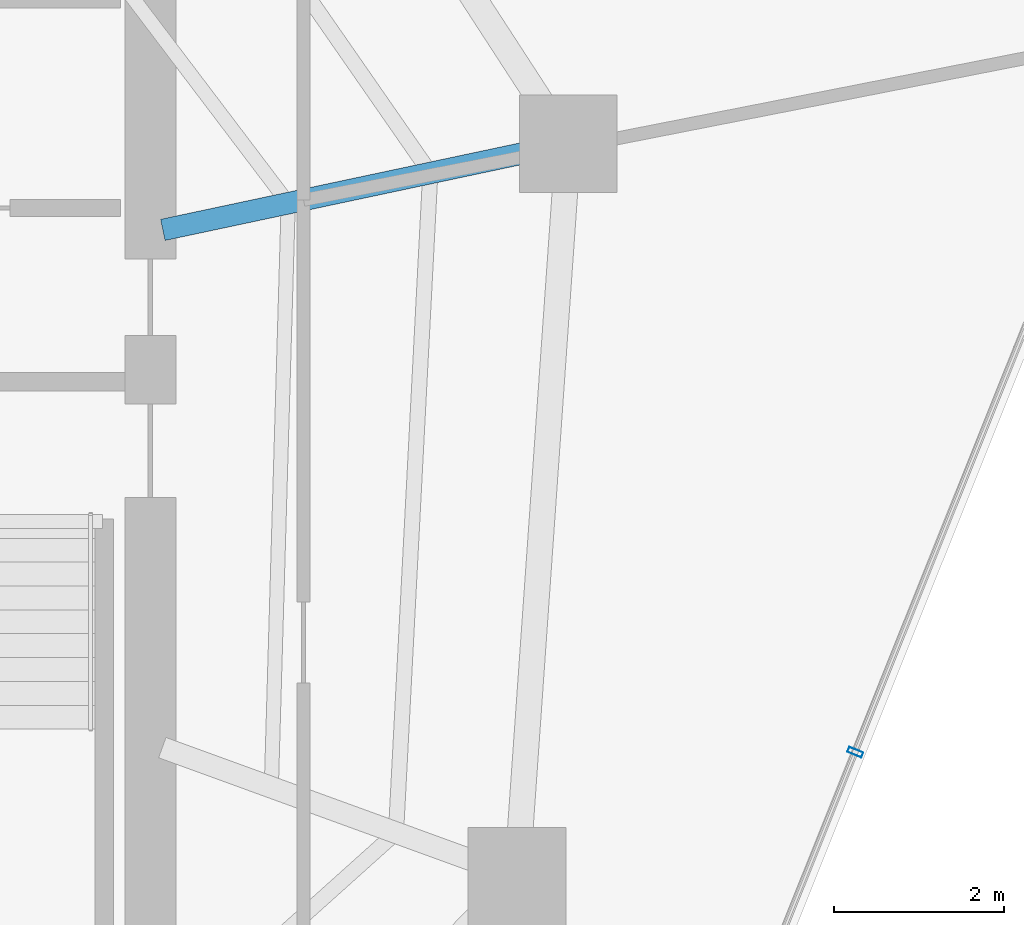
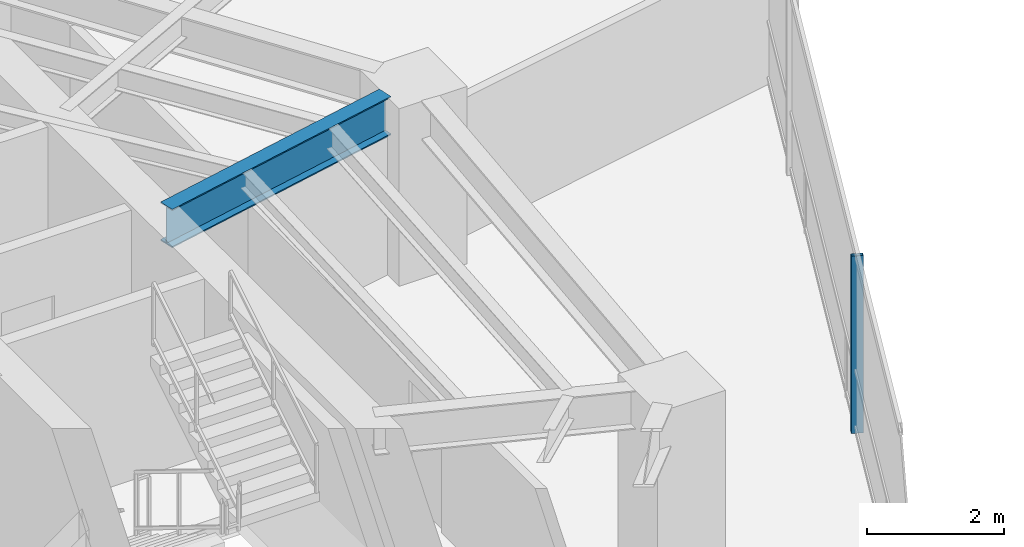
# One storey, part 13 of 29: 1 beam, 1 member, 1 element without a shape of its own.
"""IFC4 building model written with IfcOpenShell, lengths in metres."""

import ifcopenshell
import ifcopenshell.guid

model = None  # the IFC model being written
_history = None  # IfcOwnerHistory: only IFC2X3 demands one
_inside = {}  # id of a spatial element -> (the spatial element, [elements in it])
_under = {}  # id of a project, library or spatial element -> (it, [spatial elements below it])
_declared = {}  # id of a project -> (the project, [libraries it declares])
_typed = {}  # id of a type object -> (the type object, [elements of that type])
_made_of = {}  # id of a material, layer set ... -> (it, [elements and type objects made of it])


def new_model(schema):
    """Start an empty IFC model of exactly this schema.

    Asked for "IFC4X3", IfcOpenShell would pick the latest addendum, in which some entities
    have other attributes; the version numbers below select the first issue.
    IFC2X3 requires an IfcOwnerHistory on every rooted entity: one is made here for all.
    """
    global model, _history
    if schema == "IFC4X3":
        model = ifcopenshell.file(schema_version=(4, 3, 0, 0))
    else:
        model = ifcopenshell.file(schema=schema)
    _inside.clear()
    _under.clear()
    _declared.clear()
    _typed.clear()
    _made_of.clear()
    _history = None
    if model.schema == "IFC2X3":
        org = make("IfcOrganization", Name="unknown")
        user = make(
            "IfcPersonAndOrganization",
            ThePerson=make("IfcPerson", FamilyName="unknown"),
            TheOrganization=org,
        )
        app = make(
            "IfcApplication",
            ApplicationDeveloper=org,
            Version="unknown",
            ApplicationFullName="unknown",
            ApplicationIdentifier="unknown",
        )
        _history = make(
            "IfcOwnerHistory",
            OwningUser=user,
            OwningApplication=app,
            ChangeAction="ADDED",
            CreationDate=0,
        )
    return model


def make(cls, **values):
    """One entity of the class cls with the attributes given. An attribute that is None is left unset."""
    return model.create_entity(
        cls, **{name: value for name, value in values.items() if value is not None}
    )


def rooted(cls, **values):
    """An entity with a GlobalId (a new one), such as an element, a storey or a relation."""
    return make(cls, GlobalId=ifcopenshell.guid.new(), OwnerHistory=_history, **values)


def si_unit(unit_type, name, prefix=None):
    """IfcSIUnit, for example si_unit("LENGTHUNIT", "METRE", prefix="MILLI")."""
    return make("IfcSIUnit", UnitType=unit_type, Prefix=prefix, Name=name)


def assignment(units):
    """IfcUnitAssignment: the units of a project."""
    return None if units is None else make("IfcUnitAssignment", Units=units)


def point(xyz):
    """IfcCartesianPoint."""
    return None if xyz is None else make("IfcCartesianPoint", Coordinates=xyz)


def direction(xyz):
    """IfcDirection."""
    return None if xyz is None else make("IfcDirection", DirectionRatios=xyz)


def frame(location, z_axis=None, x_axis=None):
    """IfcAxis2Placement3D, a coordinate frame: its origin and axes. An axis left out is left unset."""
    return make(
        "IfcAxis2Placement3D",
        Location=point(location),
        Axis=direction(z_axis),
        RefDirection=direction(x_axis),
    )


def frame_2d(location, x_axis=None):
    """IfcAxis2Placement2D, a coordinate frame in the plane: its origin and x axis."""
    return make(
        "IfcAxis2Placement2D", Location=point(location), RefDirection=direction(x_axis)
    )


def origin():
    """The frame at (0, 0, 0) with its axes left unset."""
    return frame((0.0, 0.0, 0.0))


def origin_2d():
    """The frame at (0, 0) in the plane with its x axis left unset."""
    return frame_2d((0.0, 0.0))


def place(relative_to, where):
    """IfcLocalPlacement: puts the frame where relative to a parent placement (None: the world)."""
    return make(
        "IfcLocalPlacement", PlacementRelTo=relative_to, RelativePlacement=where
    )


def context(
    kind, dimensions, precision=None, world=None, true_north=None, identifier=None
):
    """IfcGeometricRepresentationContext, for example the 3D "Model" context."""
    return make(
        "IfcGeometricRepresentationContext",
        ContextIdentifier=identifier,
        ContextType=kind,
        CoordinateSpaceDimension=dimensions,
        Precision=precision,
        WorldCoordinateSystem=world,
        TrueNorth=true_north,
    )


def subcontext(parent, identifier, kind, view, scale=None):
    """IfcGeometricRepresentationSubContext, for example "Body" below "Model"."""
    return make(
        "IfcGeometricRepresentationSubContext",
        ContextIdentifier=identifier,
        ContextType=kind,
        ParentContext=parent,
        TargetScale=scale,
        TargetView=view,
    )


def project(units=None, contexts=None):
    """IfcProject with its units and contexts."""
    return rooted(
        "IfcProject",
        Name="project",
        RepresentationContexts=contexts,
        UnitsInContext=assignment(units),
    )


def spatial(cls, under=None, at=None, **own):
    """A site, building, storey or space (cls), placed at a placement, below another one or the project."""
    s = rooted(cls, ObjectPlacement=at, **own)
    if under is not None:
        _under.setdefault(under.id(), (under, []))[1].append(s)
    return s


def profile(cls, at=None, kind="AREA", **sizes):
    """A parametric profile (cls). Its sizes go by their IFC names, for example OverallWidth=200.0."""
    return make(cls, ProfileType=kind, Position=at, **sizes)


def hollow_rectangle(**sizes):
    """IfcRectangleHollowProfileDef."""
    return profile("IfcRectangleHollowProfileDef", **sizes)


def i_section(**sizes):
    """IfcIShapeProfileDef."""
    return profile("IfcIShapeProfileDef", **sizes)


def extrude(swept, where, along, depth):
    """IfcExtrudedAreaSolid: the profile swept, set in the frame where, extruded along a direction by depth."""
    return make(
        "IfcExtrudedAreaSolid",
        SweptArea=swept,
        Position=where,
        ExtrudedDirection=direction(along),
        Depth=depth,
    )


def shape(context_of_items, identifier, shape_type, items):
    """IfcShapeRepresentation: the items that make up one representation, for example the "Body"."""
    return make(
        "IfcShapeRepresentation",
        ContextOfItems=context_of_items,
        RepresentationIdentifier=identifier,
        RepresentationType=shape_type,
        Items=items,
    )


def material(Name=None, Category=None):
    """IfcMaterial."""
    return make("IfcMaterial", Name=Name, Category=Category)


def layer(
    of_material, thickness, ventilated=None, Name=None, Category=None, Priority=None
):
    """IfcMaterialLayer: one layer of a wall or slab, of a material (None: an air gap)."""
    return make(
        "IfcMaterialLayer",
        Material=of_material,
        LayerThickness=thickness,
        IsVentilated=ventilated,
        Name=Name,
        Category=Category,
        Priority=Priority,
    )


def layer_set(layers, Name=None):
    """IfcMaterialLayerSet."""
    return make("IfcMaterialLayerSet", MaterialLayers=layers, LayerSetName=Name)


def material_profile(
    of_material, cross_section, Name=None, Category=None, Priority=None
):
    """IfcMaterialProfile: a cross section and its material."""
    return make(
        "IfcMaterialProfile",
        Name=Name,
        Material=of_material,
        Profile=cross_section,
        Priority=Priority,
        Category=Category,
    )


def profile_set(profiles, Name=None, composite=None):
    """IfcMaterialProfileSet."""
    return make(
        "IfcMaterialProfileSet",
        Name=Name,
        MaterialProfiles=profiles,
        CompositeProfile=composite,
    )


def made_of(thing, what):
    """Note that an element or type object is made of a material, layer set ...; save() writes the relation."""
    if what is not None:
        _made_of.setdefault(what.id(), (what, []))[1].append(thing)
    return thing


def type_object(cls, material=None, **own):
    """A type object (cls), such as IfcWallType, which elements share."""
    return made_of(rooted(cls, **own), material)


def element(
    cls,
    number,
    at=None,
    inside=None,
    cuts=None,
    type_object=None,
    material=None,
    context=None,
    identifier="Body",
    shape_type=None,
    held_by="IfcProductDefinitionShape",
    body=None,
    shapes=None,
    **own,
):
    """One element of the class cls, such as IfcWall. Its Tag is "e" and its number.

    at: its placement. inside: the storey or other place that contains it. cuts: it is an
    opening in that element (IfcRelVoidsElement). A single representation is given by context,
    identifier, shape_type and body (its items); several are given by shapes. held_by: the class
    of the entity that holds the representations. save() writes the other relations.
    """
    e = rooted(cls, Tag="e%d" % number, ObjectPlacement=at, **own)
    if body is not None:
        shapes = [shape(context, identifier, shape_type, body)]
    if shapes is not None:
        e.Representation = make(held_by, Representations=shapes)
    if inside is not None:
        _inside.setdefault(inside.id(), (inside, []))[1].append(e)
    if cuts is not None:
        rooted(
            "IfcRelVoidsElement", RelatingBuildingElement=cuts, RelatedOpeningElement=e
        )
    if type_object is not None:
        _typed.setdefault(type_object.id(), (type_object, []))[1].append(e)
    return made_of(e, material)


def aggregate(whole, parts):
    """IfcRelAggregates: a whole, such as a stair, and the parts it consists of."""
    return rooted("IfcRelAggregates", RelatingObject=whole, RelatedObjects=parts)


def save(model, path):
    """Write the relations noted so far, then the file.

    IfcRelAggregates (storeys below a building ...), IfcRelContainedInSpatialStructure (elements
    in a storey), IfcRelDefinesByType, IfcRelAssociatesMaterial and IfcRelDeclares: one each for
    every whole, place, type object, material and project.
    """
    for whole, parts in _under.values():
        aggregate(whole, parts)
    for where, things in _inside.values():
        rooted(
            "IfcRelContainedInSpatialStructure",
            RelatedElements=things,
            RelatingStructure=where,
        )
    for kind, things in _typed.values():
        rooted("IfcRelDefinesByType", RelatedObjects=things, RelatingType=kind)
    for what, things in _made_of.values():
        rooted("IfcRelAssociatesMaterial", RelatedObjects=things, RelatingMaterial=what)
    for by, libraries in _declared.values():
        rooted("IfcRelDeclares", RelatingContext=by, RelatedDefinitions=libraries)
    model.write(path)


model = new_model("IFC4")

# Units and contexts
model_context = context("Model", 3, precision=1e-05, world=origin(), true_north=direction((0.0, 1.0)))
body_context = subcontext(model_context, "Body", "Model", "MODEL_VIEW")
ifc_project = project(units=[si_unit("LENGTHUNIT", "METRE"), si_unit("AREAUNIT", "SQUARE_METRE"), si_unit("VOLUMEUNIT", "CUBIC_METRE"), si_unit("PLANEANGLEUNIT", "RADIAN"), si_unit("MASSUNIT", "GRAM", prefix="KILO")], contexts=[model_context])

# Site, building, storey
site_placement = place(None, origin())
site = spatial("IfcSite", under=ifc_project, at=site_placement, CompositionType="ELEMENT")
building_placement = place(site_placement, origin())
building = spatial("IfcBuilding", under=site, at=building_placement, Name="Qarnah Convention Tower", CompositionType="ELEMENT")
storey_placement = place(building_placement, frame((0.0, 0.0, 97.050048828125)))
storey = spatial("IfcBuildingStorey", under=building, at=storey_placement, Name="L25", CompositionType="ELEMENT", Elevation=97.050048828125)

# Beam
ifc_material_1 = material(Name="Structural steel S355JR", Category="steel")
ifc_material_profile_1 = material_profile(ifc_material_1, i_section(OverallWidth=0.25390625, OverallDepth=0.68798828125, WebThickness=0.012939453125, FlangeThickness=0.02099609375, at=origin_2d()), Name="W690X152")
ifc_profile_set_1 = profile_set([ifc_material_profile_1], Name="Structural steel S355JR")
beam_type = type_object("IfcBeamType", Name="BM-RAD-W690", PredefinedType="BEAM", material=ifc_profile_set_1)
beam_placement = place(storey_placement, frame((47.7470703125, 28.64208984375, 2.825927734375), z_axis=(0.978128480765, 0.20800162287, 0.0), x_axis=(-0.20800162287, 0.978128480765, 0.0)))
element("IfcBeam", 1, at=beam_placement, inside=storey, type_object=beam_type, Name="L25 beam BM-L25-RAD-01", PredefinedType="BEAM", context=body_context, shape_type="SweptSolid", body=[
    extrude(i_section(OverallWidth=0.25390625, OverallDepth=0.68798828125, WebThickness=0.012939453125, FlangeThickness=0.02099609375, at=origin_2d()), origin(), (0.0, 0.0, 1.0), 4.312255859375),
])

# Curtain wall, member
ifc_material_2 = material(Name="Tempered Low-E dark glass", Category="glass")
ifc_layer = layer(ifc_material_2, 0.169921875)
ifc_layer_set = layer_set([ifc_layer], Name="Tempered Low-E dark glass")
curtain_wall_type = type_object("IfcCurtainWallType", Name="CWS-02", PredefinedType="NOTDEFINED", material=ifc_layer_set)
curtain_wall_placement = place(storey_placement, origin())
curtain_wall = element("IfcCurtainWall", 2, at=curtain_wall_placement, inside=storey, type_object=curtain_wall_type, Name="L25 unitised curtain wall CW-L25-F2", PredefinedType="NOTDEFINED")
ifc_material_3 = material(Name="Black anodised aluminium", Category="aluminium")
ifc_material_profile_2 = material_profile(ifc_material_3, hollow_rectangle(XDim=0.06494140625, YDim=0.179931640625, WallThickness=0.00390625, at=origin_2d()), Name="MUL-65X180")
ifc_profile_set_2 = profile_set([ifc_material_profile_2], Name="Black anodised aluminium")
member_type = type_object("IfcMemberType", Name="MUL-T2", PredefinedType="MULLION", material=ifc_profile_set_2)
member_placement = place(storey_placement, frame((55.87841796875, 22.508544921875, 0.0), z_axis=(0.0, 0.0, 1.0), x_axis=(-0.37202844102, -0.928221330865, 0.0)))
member = element("IfcMember", 3, at=member_placement, type_object=member_type, Name="CW-L25-F2 mullion 3", PredefinedType="MULLION", context=body_context, shape_type="SweptSolid", body=[
    extrude(hollow_rectangle(XDim=0.06494140625, YDim=0.179931640625, WallThickness=0.00390625, at=origin_2d()), origin(), (0.0, 0.0, 1.0), 3.169921875),
])
aggregate(curtain_wall, [member])

save(model, "model.ifc")
